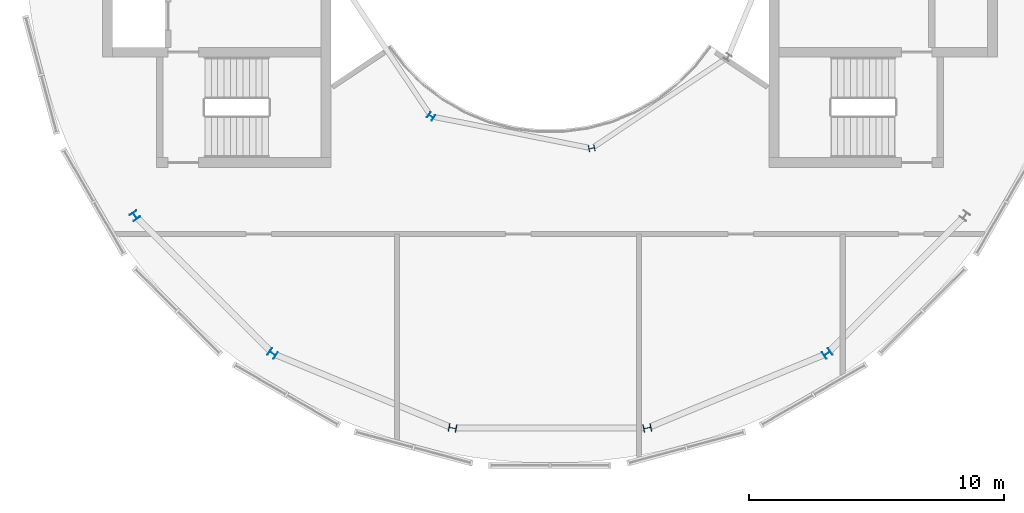
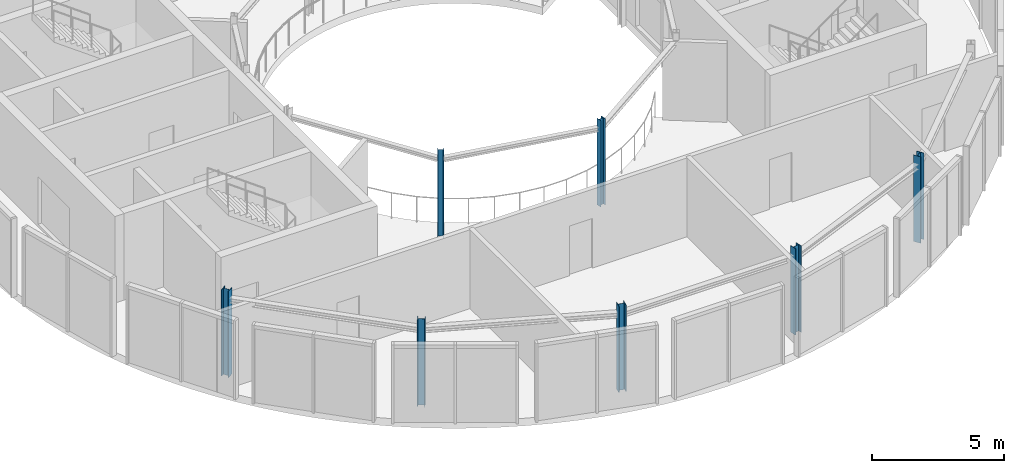
# One storey, part 1 of 12: 7 columns.
"""IFC4 building model written with IfcOpenShell, lengths in metres."""

from ifc_helpers import new_model, si_unit, direction, frame, origin, origin_2d, place, context, subcontext, project, spatial, i_section, extrude, material, material_profile, profile_set, type_object, element, save


model = new_model("IFC4")

# Units and contexts
model_context = context("Model", 3, precision=1e-05, world=origin(), true_north=direction((0.0, 1.0)))
body_context = subcontext(model_context, "Body", "Model", "MODEL_VIEW")
ifc_project = project(units=[si_unit("LENGTHUNIT", "METRE"), si_unit("AREAUNIT", "SQUARE_METRE"), si_unit("VOLUMEUNIT", "CUBIC_METRE"), si_unit("PLANEANGLEUNIT", "RADIAN"), si_unit("MASSUNIT", "GRAM", prefix="KILO")], contexts=[model_context])

# Site, building, storey
site_placement = place(None, origin())
site = spatial("IfcSite", under=ifc_project, at=site_placement, CompositionType="ELEMENT")
building_placement = place(site_placement, origin())
building = spatial("IfcBuilding", under=site, at=building_placement, Name="Maasbend Ring Residences", CompositionType="ELEMENT")
storey_placement = place(building_placement, frame((0.0, 0.0, 265.5)))
storey = spatial("IfcBuildingStorey", under=building, at=storey_placement, Name="L76", CompositionType="ELEMENT", Elevation=265.5)

# Columns
ifc_material_1 = material(Name="Steel S355J2", Category="steel")
ifc_material_profile_1 = material_profile(ifc_material_1, i_section(OverallWidth=0.239990234375, OverallDepth=0.22998046875, WebThickness=0.007568359375, FlangeThickness=0.011962890625, FilletRadius=0.02099609375, at=origin_2d()), Name="HEA 240")
ifc_profile_set_1 = profile_set([ifc_material_profile_1], Name="Steel S355J2")
column_type_1 = type_object("IfcColumnType", Name="Steel column HEA 240", PredefinedType="COLUMN", material=ifc_profile_set_1)
for number, where, z_axis, x_axis, name in (
    (1, (-4.666748046875, -6.984375, 0.0), (0.0, 0.0, 1.0), (-0.55557023302, -0.831469612303, 0.0), "Well ring column R11"),
    (2, (1.638916015625, -8.238525390625, 0.0), (0.0, 0.0, 1.0), (0.195090322016, -0.980785280403, 0.0), "Well ring column R13"),
):
    element("IfcColumn", number, at=place(storey_placement, frame(where, z_axis=z_axis, x_axis=x_axis)), inside=storey, type_object=column_type_1, Name=name, PredefinedType="COLUMN", context=body_context, shape_type="SweptSolid", body=[
        extrude(i_section(OverallWidth=0.239990234375, OverallDepth=0.22998046875, WebThickness=0.007568359375, FlangeThickness=0.011962890625, FilletRadius=0.02099609375, at=origin_2d()), origin(), (0.0, 0.0, 1.0), 4.0),
    ])
ifc_material_2 = material(Name="Steel S355J2", Category="steel")
ifc_material_profile_2 = material_profile(ifc_material_2, i_section(OverallWidth=0.300048828125, OverallDepth=0.300048828125, WebThickness=0.010986328125, FlangeThickness=0.01904296875, FilletRadius=0.027099609375, at=origin_2d()), Name="HEB 300")
ifc_profile_set_2 = profile_set([ifc_material_profile_2], Name="Steel S355J2")
column_type_2 = type_object("IfcColumnType", Name="Steel column HEB 300", PredefinedType="COLUMN", material=ifc_profile_set_2)
for number, where, z_axis, x_axis, name in (
    (3, (-16.296875, -10.88916015625, 0.0), (0.0, 0.0, 1.0), (-0.831469612303, -0.55557023302, 0.0), "Corridor ring column R10"),
    (4, (-10.88916015625, -16.296875, 0.0), (0.0, 0.0, 1.0), (-0.55557023302, -0.831469612303, 0.0), "Corridor ring column R11"),
    (5, (-3.82373046875, -19.223388671875, 0.0), (0.0, 0.0, 1.0), (-0.195090322016, -0.980785280403, 0.0), "Corridor ring column R12"),
    (6, (3.82373046875, -19.223388671875, 0.0), (0.0, 0.0, 1.0), (0.195090322016, -0.980785280403, 0.0), "Corridor ring column R13"),
    (7, (10.88916015625, -16.296875, 0.0), (0.0, 0.0, 1.0), (0.55557023302, -0.831469612303, 0.0), "Corridor ring column R14"),
):
    element("IfcColumn", number, at=place(storey_placement, frame(where, z_axis=z_axis, x_axis=x_axis)), inside=storey, type_object=column_type_2, Name=name, PredefinedType="COLUMN", context=body_context, shape_type="SweptSolid", body=[
        extrude(i_section(OverallWidth=0.300048828125, OverallDepth=0.300048828125, WebThickness=0.010986328125, FlangeThickness=0.01904296875, FilletRadius=0.027099609375, at=origin_2d()), origin(), (0.0, 0.0, 1.0), 4.0),
    ])

save(model, "model.ifc")
